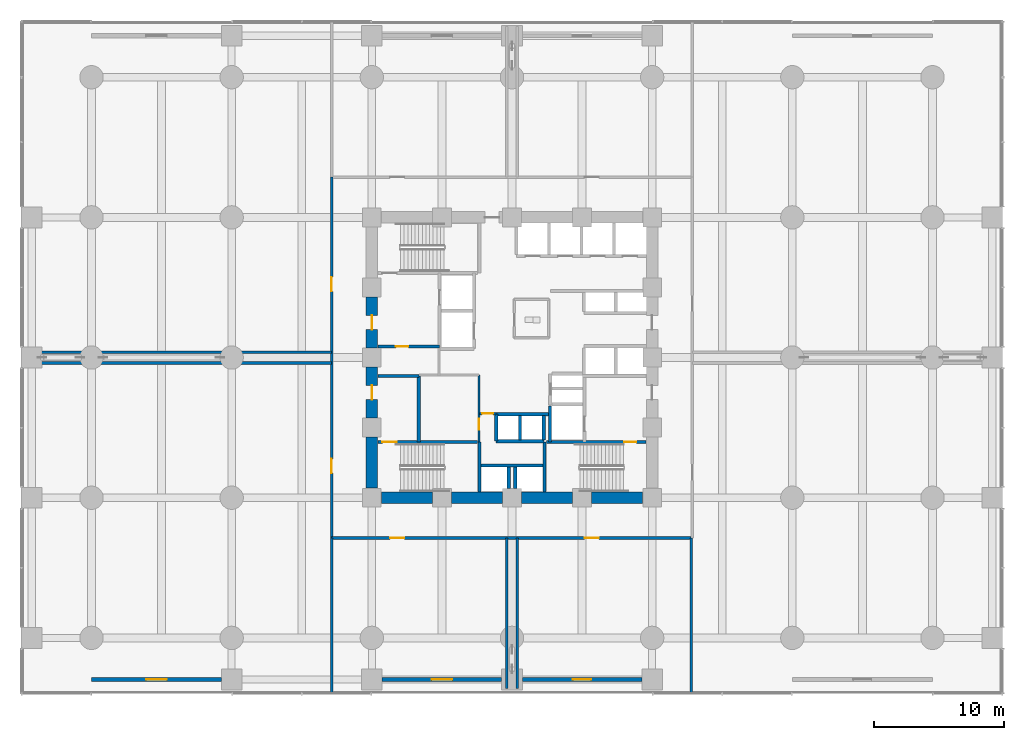
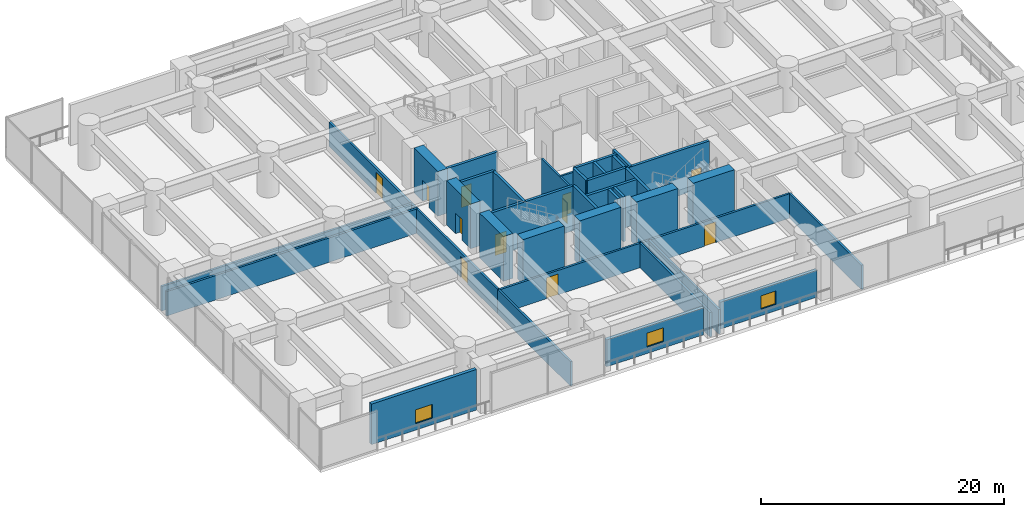
# One storey, part 29 of 37: 36 walls, 11 doors, 3 windows, 14 openings.
"""IFC4 building model written with IfcOpenShell, lengths in metres."""

from ifc_helpers import new_model, si_unit, direction, frame, frame_2d, origin, place, context, subcontext, project, spatial, rectangle, extrude, material, layer, layer_set, type_object, element, fill, save


model = new_model("IFC4")

# Units and contexts
model_context = context("Model", 3, precision=1e-05, world=origin(), true_north=direction((0.0, 1.0)))
body_context = subcontext(model_context, "Body", "Model", "MODEL_VIEW")
ifc_project = project(units=[si_unit("LENGTHUNIT", "METRE"), si_unit("AREAUNIT", "SQUARE_METRE"), si_unit("VOLUMEUNIT", "CUBIC_METRE"), si_unit("PLANEANGLEUNIT", "RADIAN"), si_unit("MASSUNIT", "GRAM", prefix="KILO")], contexts=[model_context])

# Site, building, storey
site_placement = place(None, origin())
site = spatial("IfcSite", under=ifc_project, at=site_placement, CompositionType="ELEMENT")
building_placement = place(site_placement, origin())
building = spatial("IfcBuilding", under=site, at=building_placement, Name="Surkhivell Harbour Commons", CompositionType="ELEMENT")
storey_placement = place(building_placement, frame((0.0, 0.0, 18.0)))
storey = spatial("IfcBuildingStorey", under=building, at=storey_placement, Name="L04", CompositionType="ELEMENT", Elevation=18.0)

# Walls
ifc_material_1 = material(Name="Concrete C80/95", Category="concrete")
ifc_layer_1 = layer(ifc_material_1, 0.89990234375)
ifc_layer_set_1 = layer_set([ifc_layer_1], Name="Concrete C80/95")
wall_type_1 = type_object("IfcWallType", Name="WAL-CORE-900", PredefinedType="SHEAR", material=ifc_layer_set_1)
for number, where, z_axis, x_axis, name in (
    (1, (-10.06494140625, -10.800048828125, 0.0), (0.0, 0.0, 1.0), (1.0, 0.0, 0.0), "L04 Core Shear Wall South 1"),
    (2, (-10.800048828125, -10.06494140625, 0.0), (0.0, 0.0, 1.0), (0.0, 1.0, 0.0), "L04 Core Shear Wall West 1"),
    (3, (-4.6650390625, -10.800048828125, 0.0), (0.0, 0.0, 1.0), (1.0, 0.0, 0.0), "L04 Core Shear Wall South 2"),
):
    element("IfcWall", number, at=place(storey_placement, frame(where, z_axis=z_axis, x_axis=x_axis)), inside=storey, type_object=wall_type_1, Name=name, PredefinedType="SHEAR", context=body_context, shape_type="SweptSolid", body=[
        extrude(rectangle(XDim=3.929931640625, YDim=0.89990234375, at=frame_2d((1.96484375, 0.0))), origin(), (0.0, 0.0, 1.0), 4.5),
    ])

# Wall, opening, door
wall_1_placement = place(storey_placement, frame((-10.800048828125, -4.6650390625, 0.0), z_axis=(0.0, 0.0, 1.0), x_axis=(0.0, 1.0, 0.0)))
wall_1 = element("IfcWall", 4, at=wall_1_placement, inside=storey, type_object=wall_type_1, Name="L04 Core Shear Wall West 2", PredefinedType="SHEAR", context=body_context, shape_type="SweptSolid", body=[
    extrude(rectangle(XDim=3.929931640625, YDim=0.89990234375, at=frame_2d((1.96484375, 0.0))), origin(), (0.0, 0.0, 1.0), 4.5),
])
opening_1_placement = place(wall_1_placement, frame((1.4150390625, 0.0, 0.0)))
opening_1 = element("IfcOpeningElement", 5, at=opening_1_placement, cuts=wall_1, Name="Opening ID-2", PredefinedType="OPENING", context=body_context, shape_type="SweptSolid", body=[
    extrude(rectangle(XDim=1.10009765625, YDim=2.10009765625, at=frame_2d((0.550048828125, 1.050048828125))), frame((0.0, 0.4599609375, 0.0), z_axis=(0.0, -1.0, 0.0), x_axis=(1.0, 0.0, 0.0)), (0.0, 0.0, 1.0), 0.919921875),
])
ifc_material_2 = material(Name="Hardwood-veneered fire-rated door leaf", Category="wood")
door_type_1 = type_object("IfcDoorType", Name="DOR-FD60-1100", OperationType="NOTDEFINED", PredefinedType="DOOR", material=ifc_material_2)
door_1_placement = place(opening_1_placement, origin())
door_1 = element("IfcDoor", 6, at=door_1_placement, inside=storey, type_object=door_type_1, Name="L04 Stair 3 Lobby Corridor Door", OperationType="SINGLE_SWING_LEFT", OverallHeight=2.10009765625, OverallWidth=1.10009765625, PredefinedType="DOOR", context=body_context, shape_type="SweptSolid", body=[
    extrude(rectangle(XDim=1.10009765625, YDim=2.10009765625, at=frame_2d((0.550048828125, 1.050048828125))), frame((0.0, 0.02490234375, 0.0), z_axis=(0.0, -1.0, 0.0), x_axis=(1.0, 0.0, 0.0)), (0.0, 0.0, 1.0), 0.050048828125),
])
fill(opening_1, door_1)

# Wall
wall_2_placement = place(storey_placement, frame((0.735107421875, -10.800048828125, 0.0), z_axis=(0.0, 0.0, 1.0), x_axis=(1.0, 0.0, 0.0)))
element("IfcWall", 7, at=wall_2_placement, inside=storey, type_object=wall_type_1, Name="L04 Core Shear Wall South 3", PredefinedType="SHEAR", context=body_context, shape_type="SweptSolid", body=[
    extrude(rectangle(XDim=3.929931640625, YDim=0.89990234375, at=frame_2d((1.96484375, 0.0))), origin(), (0.0, 0.0, 1.0), 4.5),
])

# Wall, opening, door
wall_3_placement = place(storey_placement, frame((-10.800048828125, 0.735107421875, 0.0), z_axis=(0.0, 0.0, 1.0), x_axis=(0.0, 1.0, 0.0)))
wall_3 = element("IfcWall", 8, at=wall_3_placement, inside=storey, type_object=wall_type_1, Name="L04 Core Shear Wall West 3", PredefinedType="SHEAR", context=body_context, shape_type="SweptSolid", body=[
    extrude(rectangle(XDim=3.929931640625, YDim=0.89990234375, at=frame_2d((1.96484375, 0.0))), origin(), (0.0, 0.0, 1.0), 4.5),
])
opening_2_placement = place(wall_3_placement, frame((1.4150390625, 0.0, 0.0)))
opening_2 = element("IfcOpeningElement", 9, at=opening_2_placement, cuts=wall_3, Name="Opening ID-1", PredefinedType="OPENING", context=body_context, shape_type="SweptSolid", body=[
    extrude(rectangle(XDim=1.10009765625, YDim=2.10009765625, at=frame_2d((0.550048828125, 1.050048828125))), frame((0.0, 0.4599609375, 0.0), z_axis=(0.0, -1.0, 0.0), x_axis=(1.0, 0.0, 0.0)), (0.0, 0.0, 1.0), 0.919921875),
])
door_type_2 = type_object("IfcDoorType", Name="DOR-FD120-1100", OperationType="NOTDEFINED", PredefinedType="DOOR", material=ifc_material_2)
door_2_placement = place(opening_2_placement, origin())
door_2 = element("IfcDoor", 10, at=door_2_placement, inside=storey, type_object=door_type_2, Name="L04 Firefighting Lobby 1 Corridor Door", OperationType="SINGLE_SWING_LEFT", OverallHeight=2.10009765625, OverallWidth=1.10009765625, PredefinedType="DOOR", context=body_context, shape_type="SweptSolid", body=[
    extrude(rectangle(XDim=1.10009765625, YDim=2.10009765625, at=frame_2d((0.550048828125, 1.050048828125))), frame((0.0, 0.02490234375, 0.0), z_axis=(0.0, -1.0, 0.0), x_axis=(1.0, 0.0, 0.0)), (0.0, 0.0, 1.0), 0.050048828125),
])
fill(opening_2, door_2)

# Wall
wall_4_placement = place(storey_placement, frame((6.135009765625, -10.800048828125, 0.0), z_axis=(0.0, 0.0, 1.0), x_axis=(1.0, 0.0, 0.0)))
element("IfcWall", 11, at=wall_4_placement, inside=storey, type_object=wall_type_1, Name="L04 Core Shear Wall South 4", PredefinedType="SHEAR", context=body_context, shape_type="SweptSolid", body=[
    extrude(rectangle(XDim=3.929931640625, YDim=0.89990234375, at=frame_2d((1.96484375, 0.0))), origin(), (0.0, 0.0, 1.0), 4.5),
])

# Wall, opening, window
ifc_material_3 = material(Name="Flemish-bond kiln brick and precast concrete C45/55", Category="masonry")
ifc_layer_2 = layer(ifc_material_3, 0.300048828125)
ifc_layer_set_2 = layer_set([ifc_layer_2], Name="Flemish-bond kiln brick and precast concrete C45/55")
wall_type_2 = type_object("IfcWallType", Name="WAL-EXT-BRK300", PredefinedType="STANDARD", material=ifc_layer_set_2)
wall_5_placement = place(storey_placement, frame((10.001953125, -24.800048828125, 0.0), z_axis=(0.0, 0.0, 1.0), x_axis=(-1.0, 0.0, 0.0)))
wall_5 = element("IfcWall", 12, at=wall_5_placement, inside=storey, type_object=wall_type_2, Name="L04 Podium Brick Facade Wall S5", PredefinedType="STANDARD", context=body_context, shape_type="SweptSolid", body=[
    extrude(rectangle(XDim=9.203857421875, YDim=0.300048828125, at=frame_2d((4.60205078125, 0.0))), origin(), (0.0, 0.0, 1.0), 2.7099609375),
])
opening_3_placement = place(wall_5_placement, frame((3.902099609375, 0.0, 0.64990234375)))
opening_3 = element("IfcOpeningElement", 13, at=opening_3_placement, cuts=wall_5, Name="Opening WN-05", PredefinedType="OPENING", context=body_context, shape_type="SweptSolid", body=[
    extrude(rectangle(XDim=1.39990234375, YDim=1.35009765625, at=frame_2d((0.699951171875, 0.675048828125))), frame((0.0, 0.159912109375, 0.0), z_axis=(0.0, -1.0, 0.0), x_axis=(1.0, 0.0, 0.0)), (0.0, 0.0, 1.0), 0.320068359375),
])
ifc_material_4 = material(Name="Thermal-break aluminium frame and double low-E glazing", Category="aluminium")
window_type_1 = type_object("IfcWindowType", Name="WIN-POD-1400x1350", PartitioningType="SINGLE_PANEL", PredefinedType="WINDOW", material=ifc_material_4)
window_1_placement = place(opening_3_placement, origin())
window_1 = element("IfcWindow", 14, at=window_1_placement, inside=storey, type_object=window_type_1, Name="L04 Podium Punched Window S5", OverallHeight=1.35009765625, OverallWidth=1.39990234375, PartitioningType="SINGLE_PANEL", PredefinedType="WINDOW", context=body_context, shape_type="SweptSolid", body=[
    extrude(rectangle(XDim=1.39990234375, YDim=1.35009765625, at=frame_2d((0.699951171875, 0.675048828125))), frame((0.0, 0.030029296875, 0.0), z_axis=(0.0, -1.0, 0.0), x_axis=(1.0, 0.0, 0.0)), (0.0, 0.0, 1.0), 0.06005859375),
])
fill(opening_3, window_1)

ifc_material_5 = material(Name="Kiln-fired surkhi brick and precast concrete C45/55", Category="masonry")
ifc_layer_3 = layer(ifc_material_5, 0.320068359375)
ifc_layer_set_3 = layer_set([ifc_layer_3], Name="Kiln-fired surkhi brick and precast concrete C45/55")
wall_type_3 = type_object("IfcWallType", Name="WAL-EXT-BRK320", PredefinedType="STANDARD", material=ifc_layer_set_3)
wall_6_placement = place(storey_placement, frame((-22.39794921875, -24.800048828125, 0.0), z_axis=(0.0, 0.0, 1.0), x_axis=(-1.0, 0.0, 0.0)))
wall_6 = element("IfcWall", 15, at=wall_6_placement, inside=storey, type_object=wall_type_3, Name="L04 Podium Brick Facade Wall S2", PredefinedType="STANDARD", context=body_context, shape_type="SweptSolid", body=[
    extrude(rectangle(XDim=10.001953125, YDim=0.320068359375, at=frame_2d((5.0009765625, 0.0))), origin(), (0.0, 0.0, 1.0), 4.080078125),
])
opening_4_placement = place(wall_6_placement, frame((4.200927734375, 0.0, 0.64990234375)))
opening_4 = element("IfcOpeningElement", 16, at=opening_4_placement, cuts=wall_6, Name="Opening WN-04", PredefinedType="OPENING", context=body_context, shape_type="SweptSolid", body=[
    extrude(rectangle(XDim=1.60009765625, YDim=1.39990234375, at=frame_2d((0.800048828125, 0.699951171875))), frame((0.0, 0.169921875, 0.0), z_axis=(0.0, -1.0, 0.0), x_axis=(1.0, 0.0, 0.0)), (0.0, 0.0, 1.0), 0.340087890625),
])
window_type_2 = type_object("IfcWindowType", Name="WIN-POD-1600x1400", PartitioningType="DOUBLE_PANEL_HORIZONTAL", PredefinedType="WINDOW", material=ifc_material_4)
window_2_placement = place(opening_4_placement, origin())
window_2 = element("IfcWindow", 17, at=window_2_placement, inside=storey, type_object=window_type_2, Name="L04 Podium Punched Window S2", OverallHeight=1.39990234375, OverallWidth=1.60009765625, PartitioningType="SINGLE_PANEL", PredefinedType="WINDOW", context=body_context, shape_type="SweptSolid", body=[
    extrude(rectangle(XDim=1.60009765625, YDim=1.39990234375, at=frame_2d((0.800048828125, 0.699951171875))), frame((0.0, 0.030029296875, 0.0), z_axis=(0.0, -1.0, 0.0), x_axis=(1.0, 0.0, 0.0)), (0.0, 0.0, 1.0), 0.06005859375),
])
fill(opening_4, window_2)

wall_7_placement = place(storey_placement, frame((-0.798095703125, -24.800048828125, 0.0), z_axis=(0.0, 0.0, 1.0), x_axis=(-1.0, 0.0, 0.0)))
wall_7 = element("IfcWall", 18, at=wall_7_placement, inside=storey, type_object=wall_type_3, Name="L04 Podium Brick Facade Wall S4", PredefinedType="STANDARD", context=body_context, shape_type="SweptSolid", body=[
    extrude(rectangle(XDim=9.203857421875, YDim=0.320068359375, at=frame_2d((4.60205078125, 0.0))), origin(), (0.0, 0.0, 1.0), 2.7099609375),
])
opening_5_placement = place(wall_7_placement, frame((3.802001953125, 0.0, 0.64990234375)))
opening_5 = element("IfcOpeningElement", 19, at=opening_5_placement, cuts=wall_7, Name="Opening WN-04", PredefinedType="OPENING", context=body_context, shape_type="SweptSolid", body=[
    extrude(rectangle(XDim=1.60009765625, YDim=1.39990234375, at=frame_2d((0.800048828125, 0.699951171875))), frame((0.0, 0.169921875, 0.0), z_axis=(0.0, -1.0, 0.0), x_axis=(1.0, 0.0, 0.0)), (0.0, 0.0, 1.0), 0.340087890625),
])
window_3_placement = place(opening_5_placement, origin())
window_3 = element("IfcWindow", 20, at=window_3_placement, inside=storey, type_object=window_type_2, Name="L04 Podium Punched Window S4", OverallHeight=1.39990234375, OverallWidth=1.60009765625, PartitioningType="SINGLE_PANEL", PredefinedType="WINDOW", context=body_context, shape_type="SweptSolid", body=[
    extrude(rectangle(XDim=1.60009765625, YDim=1.39990234375, at=frame_2d((0.800048828125, 0.699951171875))), frame((0.0, 0.030029296875, 0.0), z_axis=(0.0, -1.0, 0.0), x_axis=(1.0, 0.0, 0.0)), (0.0, 0.0, 1.0), 0.06005859375),
])
fill(opening_5, window_3)

# Wall, opening, door
ifc_material_6 = material(Name="High-density acoustic blockwork fire partition", Category="masonry")
ifc_layer_4 = layer(ifc_material_6, 0.175048828125)
ifc_layer_set_4 = layer_set([ifc_layer_4], Name="High-density acoustic blockwork fire partition")
wall_type_4 = type_object("IfcWallType", Name="WAL-INT-175", PredefinedType="PARTITIONING", material=ifc_layer_set_4)
wall_8_placement = place(storey_placement, frame((-2.550048828125, -6.510009765625, 0.0), z_axis=(0.0, 0.0, 1.0), x_axis=(0.0, 1.0, 0.0)))
wall_8 = element("IfcWall", 21, at=wall_8_placement, inside=storey, type_object=wall_type_4, Name="L04 Core Service Bay East Wall", PredefinedType="PARTITIONING", context=body_context, shape_type="SweptSolid", body=[
    extrude(rectangle(XDim=5.159912109375, YDim=0.175048828125, at=frame_2d((2.580078125, 0.0))), origin(), (0.0, 0.0, 1.0), 4.080078125),
])
opening_6_placement = place(wall_8_placement, frame((0.949951171875, 0.0, 0.0)))
opening_6 = element("IfcOpeningElement", 22, at=opening_6_placement, cuts=wall_8, Name="Opening ID-6", PredefinedType="OPENING", context=body_context, shape_type="SweptSolid", body=[
    extrude(rectangle(XDim=0.85009765625, YDim=2.10009765625, at=frame_2d((0.425048828125, 1.050048828125))), frame((0.0, 0.097412109375, 0.0), z_axis=(0.0, -1.0, 0.0), x_axis=(1.0, 0.0, 0.0)), (0.0, 0.0, 1.0), 0.195068359375),
])
door_type_3 = type_object("IfcDoorType", Name="DOR-FD30-850", OperationType="NOTDEFINED", PredefinedType="DOOR", material=ifc_material_2)
door_3_placement = place(opening_6_placement, origin())
door_3 = element("IfcDoor", 23, at=door_3_placement, inside=storey, type_object=door_type_3, Name="L04 Core Metering Door", OperationType="SINGLE_SWING_LEFT", OverallHeight=2.10009765625, OverallWidth=0.85009765625, PredefinedType="DOOR", context=body_context, shape_type="SweptSolid", body=[
    extrude(rectangle(XDim=0.85009765625, YDim=2.10009765625, at=frame_2d((0.425048828125, 1.050048828125))), frame((0.0, 0.02490234375, 0.0), z_axis=(0.0, -1.0, 0.0), x_axis=(1.0, 0.0, 0.0)), (0.0, 0.0, 1.0), 0.050048828125),
])
fill(opening_6, door_3)

wall_9_placement = place(storey_placement, frame((-2.52001953125, -4.320068359375, 0.0), z_axis=(0.0, 0.0, 1.0), x_axis=(1.0, 0.0, 0.0)))
wall_9 = element("IfcWall", 24, at=wall_9_placement, inside=storey, type_object=wall_type_4, Name="L04 High-Rise Lobby North Portal Wall", PredefinedType="PARTITIONING", context=body_context, shape_type="SweptSolid", body=[
    extrude(rectangle(XDim=1.300048828125, YDim=0.175048828125, at=frame_2d((0.64990234375, 0.0))), origin(), (0.0, 0.0, 1.0), 4.080078125),
])
opening_7_placement = place(wall_9_placement, frame((0.219970703125, 0.0, 0.0)))
opening_7 = element("IfcOpeningElement", 25, at=opening_7_placement, cuts=wall_9, Name="Opening ID-6", PredefinedType="OPENING", context=body_context, shape_type="SweptSolid", body=[
    extrude(rectangle(XDim=0.85009765625, YDim=2.10009765625, at=frame_2d((0.425048828125, 1.050048828125))), frame((0.0, 0.097412109375, 0.0), z_axis=(0.0, -1.0, 0.0), x_axis=(1.0, 0.0, 0.0)), (0.0, 0.0, 1.0), 0.195068359375),
])
door_4_placement = place(opening_7_placement, origin())
door_4 = element("IfcDoor", 26, at=door_4_placement, inside=storey, type_object=door_type_3, Name="L04 High-Rise Lift Lobby North Door", OperationType="SINGLE_SWING_LEFT", OverallHeight=2.10009765625, OverallWidth=0.85009765625, PredefinedType="DOOR", context=body_context, shape_type="SweptSolid", body=[
    extrude(rectangle(XDim=0.85009765625, YDim=2.10009765625, at=frame_2d((0.425048828125, 1.050048828125))), frame((0.0, 0.02490234375, 0.0), z_axis=(0.0, -1.0, 0.0), x_axis=(1.0, 0.0, 0.0)), (0.0, 0.0, 1.0), 0.050048828125),
])
fill(opening_7, door_4)

# Walls
ifc_material_7 = material(Name="Autoclaved aerated concrete blockwork and fire plaster", Category="masonry")
ifc_layer_5 = layer(ifc_material_7, 0.199951171875)
ifc_layer_set_5 = layer_set([ifc_layer_5], Name="Autoclaved aerated concrete blockwork and fire plaster")
wall_type_5 = type_object("IfcWallType", Name="WAL-INT-200", PredefinedType="PARTITIONING", material=ifc_layer_set_5)
for number, where, z_axis, x_axis, name in (
    (27, (0.419921875, -25.5, 0.0), (0.0, 0.0, 1.0), (0.0, 1.0, 0.0), "L04 Transfer Truss South Casing Wall"),
    (28, (-0.419921875, -25.5, 0.0), (0.0, 0.0, 1.0), (0.0, 1.0, 0.0), "L04 Transfer Truss South Casing Wall"),
):
    element("IfcWall", number, at=place(storey_placement, frame(where, z_axis=z_axis, x_axis=x_axis)), inside=storey, type_object=wall_type_5, Name=name, PredefinedType="PARTITIONING", context=body_context, shape_type="SweptSolid", body=[
        extrude(rectangle(XDim=11.60009765625, YDim=0.199951171875, at=frame_2d((5.800048828125, 0.0))), origin(), (0.0, 0.0, 1.0), 2.4599609375),
    ])
for number, where, z_axis, x_axis, name in (
    (29, (-37.760009765625, 0.419921875, 0.0), (0.0, 0.0, 1.0), (1.0, 0.0, 0.0), "L04 Transfer Truss West Casing Wall"),
    (30, (-37.760009765625, -0.419921875, 0.0), (0.0, 0.0, 1.0), (1.0, 0.0, 0.0), "L04 Transfer Truss West Casing Wall"),
):
    element("IfcWall", number, at=place(storey_placement, frame(where, z_axis=z_axis, x_axis=x_axis)), inside=storey, type_object=wall_type_5, Name=name, PredefinedType="PARTITIONING", context=body_context, shape_type="SweptSolid", body=[
        extrude(rectangle(XDim=23.860107421875, YDim=0.199951171875, at=frame_2d((11.93017578125, 0.0))), origin(), (0.0, 0.0, 1.0), 2.4599609375),
    ])

# Wall, openings, doors
wall_10_placement = place(storey_placement, frame((-13.89990234375, -13.89990234375, 0.0), z_axis=(0.0, 0.0, 1.0), x_axis=(1.0, 0.0, 0.0)))
wall_10 = element("IfcWall", 31, at=wall_10_placement, inside=storey, type_object=wall_type_5, Name="L04 Corridor South Wall", PredefinedType="PARTITIONING", context=body_context, shape_type="SweptSolid", body=[
    extrude(rectangle(XDim=27.699951171875, YDim=0.199951171875, at=frame_2d((13.85009765625, 0.0))), origin(), (0.0, 0.0, 1.0), 2.4599609375),
])
opening_8_placement = place(wall_10_placement, frame((4.5, 0.0, 0.0)))
opening_8 = element("IfcOpeningElement", 32, at=opening_8_placement, cuts=wall_10, Name="Opening ID-2", PredefinedType="OPENING", context=body_context, shape_type="SweptSolid", body=[
    extrude(rectangle(XDim=1.10009765625, YDim=2.10009765625, at=frame_2d((0.550048828125, 1.050048828125))), frame((0.0, 0.10986328125, 0.0), z_axis=(0.0, -1.0, 0.0), x_axis=(1.0, 0.0, 0.0)), (0.0, 0.0, 1.0), 0.219970703125),
])
opening_9_placement = place(wall_10_placement, frame((19.5, 0.0, 0.0)))
opening_9 = element("IfcOpeningElement", 33, at=opening_9_placement, cuts=wall_10, Name="Opening ID-2", PredefinedType="OPENING", context=body_context, shape_type="SweptSolid", body=[
    extrude(rectangle(XDim=1.10009765625, YDim=2.10009765625, at=frame_2d((0.550048828125, 1.050048828125))), frame((0.0, 0.10986328125, 0.0), z_axis=(0.0, -1.0, 0.0), x_axis=(1.0, 0.0, 0.0)), (0.0, 0.0, 1.0), 0.219970703125),
])
door_5_placement = place(opening_8_placement, origin())
door_5 = element("IfcDoor", 34, at=door_5_placement, inside=storey, type_object=door_type_1, Name="L04 South-West Fire and Booster Pump Plant Room Door", OperationType="SINGLE_SWING_RIGHT", OverallHeight=2.10009765625, OverallWidth=1.10009765625, PredefinedType="DOOR", context=body_context, shape_type="SweptSolid", body=[
    extrude(rectangle(XDim=1.10009765625, YDim=2.10009765625, at=frame_2d((0.550048828125, 1.050048828125))), frame((0.0, 0.02490234375, 0.0), z_axis=(0.0, -1.0, 0.0), x_axis=(1.0, 0.0, 0.0)), (0.0, 0.0, 1.0), 0.050048828125),
])
fill(opening_8, door_5)
door_6_placement = place(opening_9_placement, origin())
door_6 = element("IfcDoor", 35, at=door_6_placement, inside=storey, type_object=door_type_1, Name="L04 South-East Switchgear Plant Room Door", OperationType="SINGLE_SWING_LEFT", OverallHeight=2.10009765625, OverallWidth=1.10009765625, PredefinedType="DOOR", context=body_context, shape_type="SweptSolid", body=[
    extrude(rectangle(XDim=1.10009765625, YDim=2.10009765625, at=frame_2d((0.550048828125, 1.050048828125))), frame((0.0, 0.02490234375, 0.0), z_axis=(0.0, -1.0, 0.0), x_axis=(1.0, 0.0, 0.0)), (0.0, 0.0, 1.0), 0.050048828125),
])
fill(opening_9, door_6)

# Walls
for number, where, z_axis, x_axis, name in (
    (36, (13.800048828125, -25.860107421875, 0.0), (0.0, 0.0, 1.0), (0.0, 1.0, 0.0), "L04 Corner SE Divider"),
    (37, (-13.89990234375, -25.860107421875, 0.0), (0.0, 0.0, 1.0), (0.0, 1.0, 0.0), "L04 Corner SW Divider"),
):
    element("IfcWall", number, at=place(storey_placement, frame(where, z_axis=z_axis, x_axis=x_axis)), inside=storey, type_object=wall_type_5, Name=name, PredefinedType="PARTITIONING", context=body_context, shape_type="SweptSolid", body=[
        extrude(rectangle(XDim=11.960205078125, YDim=0.199951171875, at=frame_2d((5.97998046875, 0.0))), origin(), (0.0, 0.0, 1.0), 2.4599609375),
    ])

# Wall, openings, doors
wall_11_placement = place(storey_placement, frame((-13.89990234375, -13.89990234375, 0.0), z_axis=(0.0, 0.0, 1.0), x_axis=(0.0, 1.0, 0.0)))
wall_11 = element("IfcWall", 38, at=wall_11_placement, inside=storey, type_object=wall_type_5, Name="L04 Corridor West Wall", PredefinedType="PARTITIONING", context=body_context, shape_type="SweptSolid", body=[
    extrude(rectangle(XDim=27.7998046875, YDim=0.199951171875, at=frame_2d((13.89990234375, 0.0))), origin(), (0.0, 0.0, 1.0), 2.4599609375),
])
opening_10_placement = place(wall_11_placement, frame((19.0, 0.0, 0.0)))
opening_10 = element("IfcOpeningElement", 39, at=opening_10_placement, cuts=wall_11, Name="Opening ID-2", PredefinedType="OPENING", context=body_context, shape_type="SweptSolid", body=[
    extrude(rectangle(XDim=1.10009765625, YDim=2.10009765625, at=frame_2d((0.550048828125, 1.050048828125))), frame((0.0, 0.10986328125, 0.0), z_axis=(0.0, -1.0, 0.0), x_axis=(1.0, 0.0, 0.0)), (0.0, 0.0, 1.0), 0.219970703125),
])
opening_11_placement = place(wall_11_placement, frame((5.0, 0.0, 0.0)))
opening_11 = element("IfcOpeningElement", 40, at=opening_11_placement, cuts=wall_11, Name="Opening ID-2", PredefinedType="OPENING", context=body_context, shape_type="SweptSolid", body=[
    extrude(rectangle(XDim=1.10009765625, YDim=2.10009765625, at=frame_2d((0.550048828125, 1.050048828125))), frame((0.0, 0.10986328125, 0.0), z_axis=(0.0, -1.0, 0.0), x_axis=(1.0, 0.0, 0.0)), (0.0, 0.0, 1.0), 0.219970703125),
])
door_7_placement = place(opening_10_placement, origin())
door_7 = element("IfcDoor", 41, at=door_7_placement, inside=storey, type_object=door_type_1, Name="L04 West-Upper Mechanical Plant Gallery Door", OperationType="SINGLE_SWING_RIGHT", OverallHeight=2.10009765625, OverallWidth=1.10009765625, PredefinedType="DOOR", context=body_context, shape_type="SweptSolid", body=[
    extrude(rectangle(XDim=1.10009765625, YDim=2.10009765625, at=frame_2d((0.550048828125, 1.050048828125))), frame((0.0, 0.02490234375, 0.0), z_axis=(0.0, -1.0, 0.0), x_axis=(1.0, 0.0, 0.0)), (0.0, 0.0, 1.0), 0.050048828125),
])
fill(opening_10, door_7)
door_8_placement = place(opening_11_placement, origin())
door_8 = element("IfcDoor", 42, at=door_8_placement, inside=storey, type_object=door_type_1, Name="L04 West-Lower Mechanical Plant Gallery Door", OperationType="SINGLE_SWING_LEFT", OverallHeight=2.10009765625, OverallWidth=1.10009765625, PredefinedType="DOOR", context=body_context, shape_type="SweptSolid", body=[
    extrude(rectangle(XDim=1.10009765625, YDim=2.10009765625, at=frame_2d((0.550048828125, 1.050048828125))), frame((0.0, 0.02490234375, 0.0), z_axis=(0.0, -1.0, 0.0), x_axis=(1.0, 0.0, 0.0)), (0.0, 0.0, 1.0), 0.050048828125),
])
fill(opening_11, door_8)

# Wall, opening, door
ifc_material_8 = material(Name="Concrete C50/60", Category="concrete")
ifc_layer_6 = layer(ifc_material_8, 0.25)
ifc_layer_set_6 = layer_set([ifc_layer_6], Name="Concrete C50/60")
wall_type_6 = type_object("IfcWallType", Name="WAL-SHAFT-250", PredefinedType="SHEAR", material=ifc_layer_set_6)
wall_12_placement = place(storey_placement, frame((-10.340087890625, 0.85009765625, 0.0), z_axis=(0.0, 0.0, 1.0), x_axis=(1.0, 0.0, 0.0)))
wall_12 = element("IfcWall", 43, at=wall_12_placement, inside=storey, type_object=wall_type_6, Name="L04 Firefighting Lobby 1 South Wall", PredefinedType="SHEAR", context=body_context, shape_type="SweptSolid", body=[
    extrude(rectangle(XDim=4.760009765625, YDim=0.25, at=frame_2d((2.3798828125, 0.0))), origin(), (0.0, 0.0, 1.0), 4.5),
])
opening_12_placement = place(wall_12_placement, frame((1.39990234375, 0.0, 0.0)))
opening_12 = element("IfcOpeningElement", 44, at=opening_12_placement, cuts=wall_12, Name="Opening ID-4", PredefinedType="OPENING", context=body_context, shape_type="SweptSolid", body=[
    extrude(rectangle(XDim=0.949951171875, YDim=2.10009765625, at=frame_2d((0.47509765625, 1.050048828125))), frame((0.0, 0.135009765625, 0.0), z_axis=(0.0, -1.0, 0.0), x_axis=(1.0, 0.0, 0.0)), (0.0, 0.0, 1.0), 0.27001953125),
])
door_type_4 = type_object("IfcDoorType", Name="DOR-FD60-950", OperationType="NOTDEFINED", PredefinedType="DOOR", material=ifc_material_2)
door_9_placement = place(opening_12_placement, origin())
door_9 = element("IfcDoor", 45, at=door_9_placement, inside=storey, type_object=door_type_4, Name="L04 Core BMS Room Door", OperationType="SINGLE_SWING_RIGHT", OverallHeight=2.10009765625, OverallWidth=0.949951171875, PredefinedType="DOOR", context=body_context, shape_type="SweptSolid", body=[
    extrude(rectangle(XDim=0.949951171875, YDim=2.10009765625, at=frame_2d((0.47509765625, 1.050048828125))), frame((0.0, 0.02490234375, 0.0), z_axis=(0.0, -1.0, 0.0), x_axis=(1.0, 0.0, 0.0)), (0.0, 0.0, 1.0), 0.050048828125),
])
fill(opening_12, door_9)

# Walls
wall_13_placement = place(storey_placement, frame((2.929931640625, -6.510009765625, 0.0), z_axis=(0.0, 0.0, 1.0), x_axis=(0.0, 1.0, 0.0)))
element("IfcWall", 46, at=wall_13_placement, inside=storey, type_object=wall_type_6, Name="L04 FFL2 West Shaft Wall", PredefinedType="SHEAR", context=body_context, shape_type="SweptSolid", body=[
    extrude(rectangle(XDim=2.7900390625, YDim=0.25, at=frame_2d((1.39501953125, 0.0))), origin(), (0.0, 0.0, 1.0), 4.5),
])
for number, where, z_axis, x_axis, name in (
    (47, (0.6201171875, -6.340087890625, 0.0), (0.0, 0.0, 1.0), (0.0, 1.0, 0.0), "L04 High-Rise Side Wall N"),
    (48, (2.449951171875, -6.340087890625, 0.0), (0.0, 0.0, 1.0), (0.0, 1.0, 0.0), "L04 High-Rise Side Wall N"),
):
    element("IfcWall", number, at=place(storey_placement, frame(where, z_axis=z_axis, x_axis=x_axis)), inside=storey, type_object=wall_type_6, Name=name, PredefinedType="SHEAR", context=body_context, shape_type="SweptSolid", body=[
        extrude(rectangle(XDim=1.880126953125, YDim=0.25, at=frame_2d((0.93994140625, 0.0))), origin(), (0.0, 0.0, 1.0), 4.5),
    ])
for number, where, z_axis, x_axis, name in (
    (49, (-0.25, -10.074951171875, 0.0), (0.0, 0.0, 1.0), (0.0, 1.0, 0.0), "L04 High-Rise Side Wall S"),
    (50, (0.25, -10.074951171875, 0.0), (0.0, 0.0, 1.0), (0.0, 1.0, 0.0), "L04 High-Rise Side Wall S"),
):
    element("IfcWall", number, at=place(storey_placement, frame(where, z_axis=z_axis, x_axis=x_axis)), inside=storey, type_object=wall_type_6, Name=name, PredefinedType="SHEAR", context=body_context, shape_type="SweptSolid", body=[
        extrude(rectangle(XDim=1.635009765625, YDim=0.25, at=frame_2d((0.8173828125, 0.0))), origin(), (0.0, 0.0, 1.0), 4.5),
    ])
wall_14_placement = place(storey_placement, frame((-1.219970703125, -6.43994140625, 0.0), z_axis=(0.0, 0.0, 1.0), x_axis=(0.0, 1.0, 0.0)))
element("IfcWall", 51, at=wall_14_placement, inside=storey, type_object=wall_type_6, Name="L04 High-Rise Passage East Shaft Wall", PredefinedType="SHEAR", context=body_context, shape_type="SweptSolid", body=[
    extrude(rectangle(XDim=2.079833984375, YDim=0.25, at=frame_2d((1.0400390625, 0.0))), origin(), (0.0, 0.0, 1.0), 4.5),
])
wall_15_placement = place(storey_placement, frame((-1.219970703125, -6.43994140625, 0.0), z_axis=(0.0, 0.0, 1.0), x_axis=(1.0, 0.0, 0.0)))
element("IfcWall", 52, at=wall_15_placement, inside=storey, type_object=wall_type_6, Name="L04 High-Rise North Front Shaft Wall", PredefinedType="SHEAR", context=body_context, shape_type="SweptSolid", body=[
    extrude(rectangle(XDim=3.669921875, YDim=0.25, at=frame_2d((1.8349609375, 0.0))), origin(), (0.0, 0.0, 1.0), 4.5),
])
wall_16_placement = place(storey_placement, frame((-2.47998046875, -8.320068359375, 0.0), z_axis=(0.0, 0.0, 1.0), x_axis=(1.0, 0.0, 0.0)))
element("IfcWall", 53, at=wall_16_placement, inside=storey, type_object=wall_type_6, Name="L04 High-Rise South Front Shaft Wall", PredefinedType="SHEAR", context=body_context, shape_type="SweptSolid", body=[
    extrude(rectangle(XDim=4.929931640625, YDim=0.25, at=frame_2d((2.46484375, 0.0))), origin(), (0.0, 0.0, 1.0), 4.5),
])
wall_17_placement = place(storey_placement, frame((-1.219970703125, -4.360107421875, 0.0), z_axis=(0.0, 0.0, 1.0), x_axis=(1.0, 0.0, 0.0)))
element("IfcWall", 54, at=wall_17_placement, inside=storey, type_object=wall_type_6, Name="L04 High-Rise North Back Shaft Wall", PredefinedType="SHEAR", context=body_context, shape_type="SweptSolid", body=[
    extrude(rectangle(XDim=4.030029296875, YDim=0.25, at=frame_2d((2.01513671875, 0.0))), origin(), (0.0, 0.0, 1.0), 4.5),
])

# Wall, opening, door
wall_18_placement = place(storey_placement, frame((2.639892578125, -6.510009765625, 0.0), z_axis=(0.0, 0.0, 1.0), x_axis=(1.0, 0.0, 0.0)))
wall_18 = element("IfcWall", 55, at=wall_18_placement, inside=storey, type_object=wall_type_6, Name="L04 Stair ST2 North Shear Wall", PredefinedType="SHEAR", context=body_context, shape_type="SweptSolid", body=[
    extrude(rectangle(XDim=7.7001953125, YDim=0.25, at=frame_2d((3.85009765625, 0.0))), origin(), (0.0, 0.0, 1.0), 4.5),
])
opening_13_placement = place(wall_18_placement, frame((6.0, 0.0, 0.0)))
opening_13 = element("IfcOpeningElement", 56, at=opening_13_placement, cuts=wall_18, Name="Opening ID-4", PredefinedType="OPENING", context=body_context, shape_type="SweptSolid", body=[
    extrude(rectangle(XDim=0.949951171875, YDim=2.10009765625, at=frame_2d((0.47509765625, 1.050048828125))), frame((0.0, 0.135009765625, 0.0), z_axis=(0.0, -1.0, 0.0), x_axis=(1.0, 0.0, 0.0)), (0.0, 0.0, 1.0), 0.27001953125),
])
door_10_placement = place(opening_13_placement, origin())
door_10 = element("IfcDoor", 57, at=door_10_placement, inside=storey, type_object=door_type_4, Name="L04 Stair ST2 Exit Door", OperationType="SINGLE_SWING_RIGHT", OverallHeight=2.10009765625, OverallWidth=0.949951171875, PredefinedType="DOOR", context=body_context, shape_type="SweptSolid", body=[
    extrude(rectangle(XDim=0.949951171875, YDim=2.10009765625, at=frame_2d((0.47509765625, 1.050048828125))), frame((0.0, 0.02490234375, 0.0), z_axis=(0.0, -1.0, 0.0), x_axis=(1.0, 0.0, 0.0)), (0.0, 0.0, 1.0), 0.050048828125),
])
fill(opening_13, door_10)

# Walls
for number, where, z_axis, x_axis, name in (
    (58, (2.510009765625, -10.35009765625, 0.0), (0.0, 0.0, 1.0), (0.0, 1.0, 0.0), "L04 Stair ST2 West Shear Wall"),
    (59, (-2.510009765625, -10.35009765625, 0.0), (0.0, 0.0, 1.0), (0.0, 1.0, 0.0), "L04 Stair ST3 East Shear Wall"),
):
    element("IfcWall", number, at=place(storey_placement, frame(where, z_axis=z_axis, x_axis=x_axis)), inside=storey, type_object=wall_type_6, Name=name, PredefinedType="SHEAR", context=body_context, shape_type="SweptSolid", body=[
        extrude(rectangle(XDim=3.840087890625, YDim=0.25, at=frame_2d((1.919921875, 0.0))), origin(), (0.0, 0.0, 1.0), 4.5),
    ])
wall_19_placement = place(storey_placement, frame((-7.179931640625, -6.510009765625, 0.0), z_axis=(0.0, 0.0, 1.0), x_axis=(0.0, 1.0, 0.0)))
element("IfcWall", 60, at=wall_19_placement, inside=storey, type_object=wall_type_6, Name="L04 Stair 3 Lobby East Wall", PredefinedType="SHEAR", context=body_context, shape_type="SweptSolid", body=[
    extrude(rectangle(XDim=5.090087890625, YDim=0.25, at=frame_2d((2.544921875, 0.0))), origin(), (0.0, 0.0, 1.0), 4.5),
])
wall_20_placement = place(storey_placement, frame((-10.340087890625, -1.419921875, 0.0), z_axis=(0.0, 0.0, 1.0), x_axis=(1.0, 0.0, 0.0)))
element("IfcWall", 61, at=wall_20_placement, inside=storey, type_object=wall_type_6, Name="L04 Stair 3 Lobby North Wall", PredefinedType="SHEAR", context=body_context, shape_type="SweptSolid", body=[
    extrude(rectangle(XDim=3.16015625, YDim=0.25, at=frame_2d((1.580078125, 0.0))), origin(), (0.0, 0.0, 1.0), 4.5),
])

# Wall, opening, door
wall_21_placement = place(storey_placement, frame((-10.340087890625, -6.510009765625, 0.0), z_axis=(0.0, 0.0, 1.0), x_axis=(1.0, 0.0, 0.0)))
wall_21 = element("IfcWall", 62, at=wall_21_placement, inside=storey, type_object=wall_type_6, Name="L04 Stair ST3 North Shear Wall", PredefinedType="SHEAR", context=body_context, shape_type="SweptSolid", body=[
    extrude(rectangle(XDim=7.7001953125, YDim=0.25, at=frame_2d((3.85009765625, 0.0))), origin(), (0.0, 0.0, 1.0), 4.5),
])
opening_14_placement = place(wall_21_placement, frame((0.35009765625, 0.0, 0.0)))
opening_14 = element("IfcOpeningElement", 63, at=opening_14_placement, cuts=wall_21, Name="Opening ID-2", PredefinedType="OPENING", context=body_context, shape_type="SweptSolid", body=[
    extrude(rectangle(XDim=1.10009765625, YDim=2.10009765625, at=frame_2d((0.550048828125, 1.050048828125))), frame((0.0, 0.135009765625, 0.0), z_axis=(0.0, -1.0, 0.0), x_axis=(1.0, 0.0, 0.0)), (0.0, 0.0, 1.0), 0.27001953125),
])
door_11_placement = place(opening_14_placement, origin())
door_11 = element("IfcDoor", 64, at=door_11_placement, inside=storey, type_object=door_type_1, Name="L04 Stair ST3 Exit Door", OperationType="SINGLE_SWING_RIGHT", OverallHeight=2.10009765625, OverallWidth=1.10009765625, PredefinedType="DOOR", context=body_context, shape_type="SweptSolid", body=[
    extrude(rectangle(XDim=1.10009765625, YDim=2.10009765625, at=frame_2d((0.550048828125, 1.050048828125))), frame((0.0, 0.02490234375, 0.0), z_axis=(0.0, -1.0, 0.0), x_axis=(1.0, 0.0, 0.0)), (0.0, 0.0, 1.0), 0.050048828125),
])
fill(opening_14, door_11)

save(model, "model.ifc")
